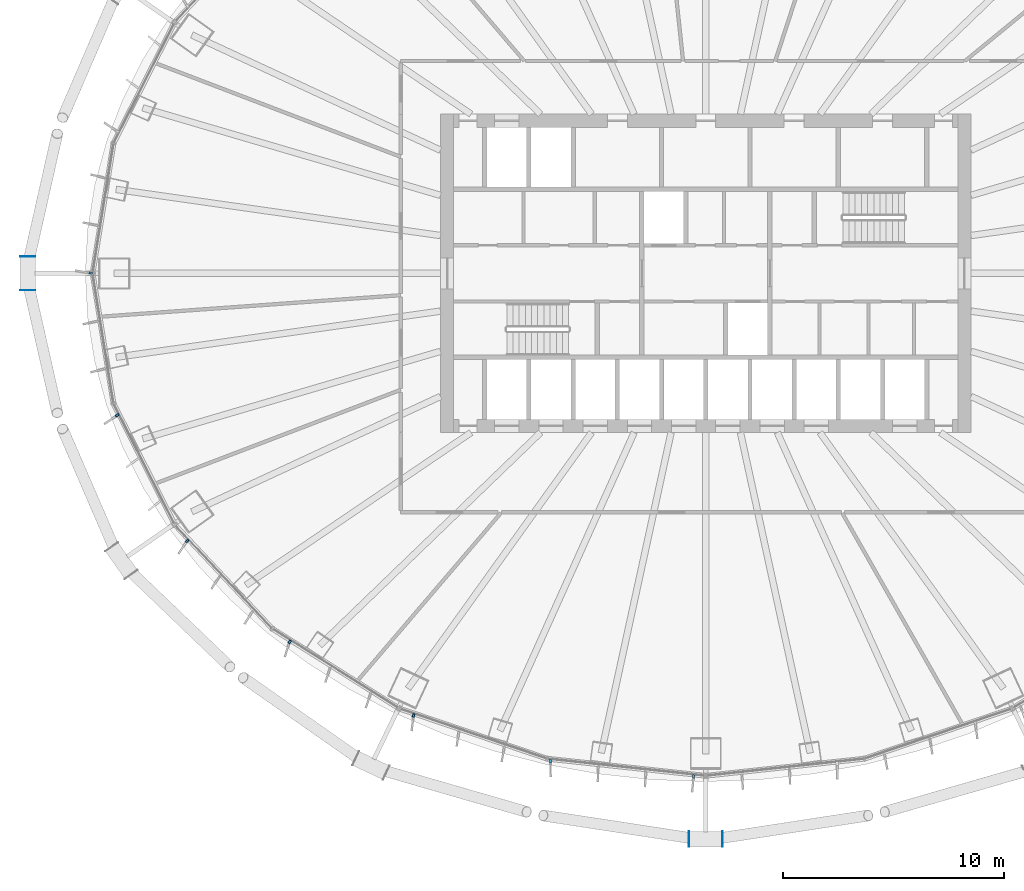
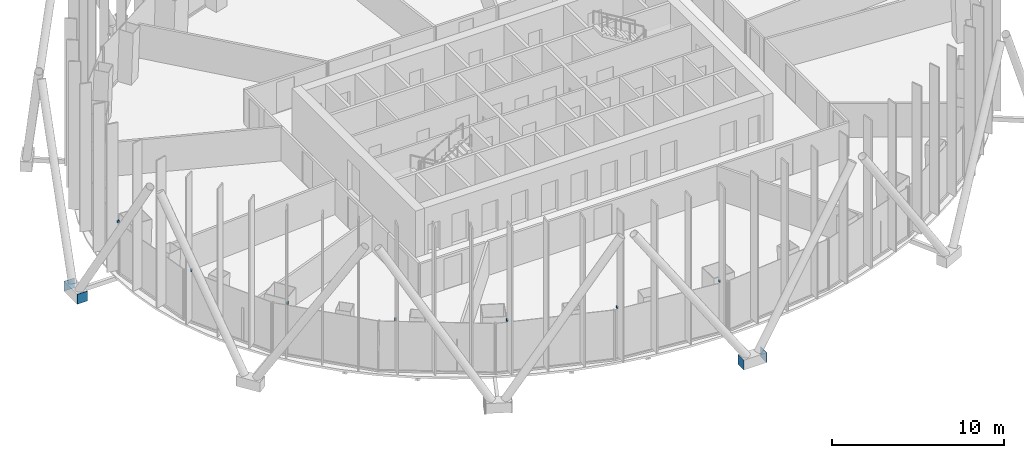
# One storey, part 15 of 22: 11 discrete accessories.
"""IFC4 building model written with IfcOpenShell, lengths in metres."""

from ifc_helpers import new_model, si_unit, direction, frame, origin, origin_2d, place, context, subcontext, project, spatial, rectangle, extrude, material, layer, layer_set, type_object, element, save


model = new_model("IFC4")

# Units and contexts
model_context = context("Model", 3, precision=1e-05, world=origin(), true_north=direction((0.0, 1.0)))
body_context = subcontext(model_context, "Body", "Model", "MODEL_VIEW")
ifc_project = project(units=[si_unit("LENGTHUNIT", "METRE"), si_unit("AREAUNIT", "SQUARE_METRE"), si_unit("VOLUMEUNIT", "CUBIC_METRE"), si_unit("PLANEANGLEUNIT", "RADIAN"), si_unit("MASSUNIT", "GRAM", prefix="KILO")], contexts=[model_context])

# Site, building, storey
site_placement = place(None, origin())
site = spatial("IfcSite", under=ifc_project, at=site_placement, CompositionType="ELEMENT")
building_placement = place(site_placement, origin())
building = spatial("IfcBuilding", under=site, at=building_placement, Name="Siaravel Broadcast Tower", CompositionType="ELEMENT")
storey_placement = place(building_placement, frame((0.0, 0.0, 48.199951171875)))
storey = spatial("IfcBuildingStorey", under=building, at=storey_placement, Name="L10", CompositionType="ELEMENT", Elevation=48.199951171875)

# Discrete accessories
ifc_material_1 = material(Name="Stainless steel 316", Category="steel")
discrete_accessory_type_1 = type_object("IfcDiscreteAccessoryType", Name="Stainless steel fin bracket", PredefinedType="USERDEFINED", material=ifc_material_1)
for number, where, z_axis, x_axis, name in (
    (1, (-27.82080078125, 0.014404296875, 3.68994140625), (0.0, 0.0, 1.0), (-0.987329198, 0.158685394, 0.0), "Fin bracket L10-37"),
    (2, (-26.617431640625, -6.41748046875, 3.68994140625), (0.0, 0.0, 1.0), (-0.892392151, -0.451260732, 0.0), "Fin bracket L10-40"),
    (3, (-23.4501953125, -12.099609375, 3.68994140625), (0.0, 0.0, 1.0), (-0.729805608, -0.683654718, 0.0), "Fin bracket L10-43"),
    (4, (-18.8203125, -16.672119140625, 3.68994140625), (0.0, 0.0, 1.0), (-0.532149452, -0.846650436, 0.0), "Fin bracket L10-46"),
    (5, (-13.216796875, -19.99609375, 3.68994140625), (0.0, 0.0, 1.0), (-0.321300635, -0.946977245, 0.0), "Fin bracket L10-49"),
    (6, (-7.023193359375, -22.0576171875, 3.68994140625), (0.0, 0.0, 1.0), (-0.107216783, -0.994235667, 0.0), "Fin bracket L10-52"),
    (7, (-0.54931640625, -22.755859375, 3.68994140625), (0.0, 0.0, 1.0), (-0.107216783, -0.994235667, 0.0), "Fin bracket L10-55"),
):
    element("IfcDiscreteAccessory", number, at=place(storey_placement, frame(where, z_axis=z_axis, x_axis=x_axis)), inside=storey, type_object=discrete_accessory_type_1, Name=name, ObjectType="BRACKET", PredefinedType="USERDEFINED", context=body_context, shape_type="SweptSolid", body=[
        extrude(rectangle(XDim=0.159912109375, YDim=0.10009765625, at=origin_2d()), origin(), (0.0, 0.0, 1.0), 0.139892578125),
    ])
ifc_material_2 = material(Name="Steel S355", Category="steel")
ifc_layer = layer(ifc_material_2, 0.02001953125)
ifc_layer_set = layer_set([ifc_layer], Name="Steel S355")
discrete_accessory_type_2 = type_object("IfcDiscreteAccessoryType", Name="Steel end plate 20 mm", PredefinedType="USERDEFINED", material=ifc_layer_set)
for number, where, z_axis, x_axis, name in (
    (8, (-30.666015625, -0.763427734375, -0.5498046875), (0.0, 0.0, 1.0), (0.0, -1.0, 0.0), "End plate R05 station 36A"),
    (9, (-30.666015625, 0.763427734375, -0.5498046875), (0.0, 0.0, 1.0), (0.0, -1.0, 0.0), "End plate R05 station 36B"),
    (10, (0.763427734375, -25.58935546875, -0.5498046875), (0.0, 0.0, 1.0), (1.0, 0.0, 0.0), "End plate R05 station 54A"),
    (11, (-0.763427734375, -25.58935546875, -0.5498046875), (0.0, 0.0, 1.0), (1.0, 0.0, 0.0), "End plate R05 station 54B"),
):
    element("IfcDiscreteAccessory", number, at=place(storey_placement, frame(where, z_axis=z_axis, x_axis=x_axis)), inside=storey, type_object=discrete_accessory_type_2, Name=name, ObjectType="END PLATE", PredefinedType="USERDEFINED", context=body_context, shape_type="SweptSolid", body=[
        extrude(rectangle(XDim=0.02001953125, YDim=0.699951171875, at=origin_2d()), origin(), (0.0, 0.0, 1.0), 0.699951171875),
    ])

save(model, "model.ifc")
